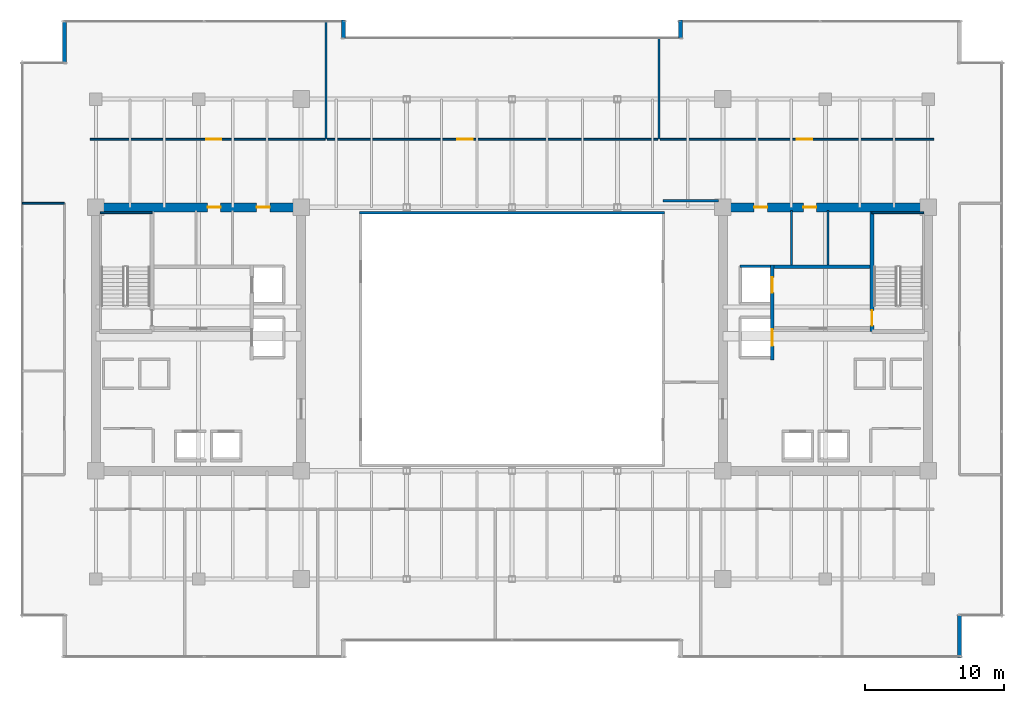
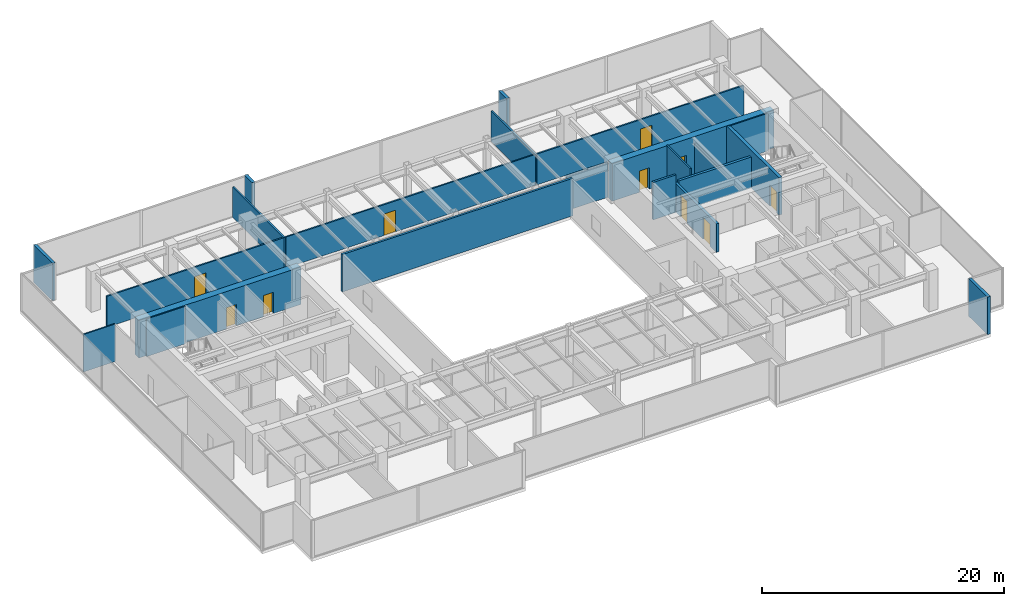
# One storey, part 27 of 30: 22 walls, 10 doors, 10 openings.
"""IFC4 building model written with IfcOpenShell, lengths in metres."""

from ifc_helpers import new_model, si_unit, direction, frame, frame_2d, origin, place, context, subcontext, project, spatial, rectangle, extrude, source, transform, mapped, material, layer, layer_set, type_object, type_shapes, element, fill, save


model = new_model("IFC4")

# Units and contexts
model_context = context("Model", 3, precision=1e-05, world=origin(), true_north=direction((0.0, 1.0)))
body_context = subcontext(model_context, "Body", "Model", "MODEL_VIEW")
ifc_project = project(units=[si_unit("LENGTHUNIT", "METRE"), si_unit("AREAUNIT", "SQUARE_METRE"), si_unit("VOLUMEUNIT", "CUBIC_METRE"), si_unit("PLANEANGLEUNIT", "RADIAN"), si_unit("MASSUNIT", "GRAM", prefix="KILO")], contexts=[model_context])

# Site, building, storey
site_placement = place(None, origin())
site = spatial("IfcSite", under=ifc_project, at=site_placement, CompositionType="ELEMENT")
building_placement = place(site_placement, origin())
building = spatial("IfcBuilding", under=site, at=building_placement, Name="Haelvirn Gate Laboratories", CompositionType="ELEMENT")
storey_placement = place(building_placement, frame((0.0, 0.0, 125.60009765625)))
storey = spatial("IfcBuildingStorey", under=building, at=storey_placement, Name="L30", CompositionType="ELEMENT", Elevation=125.60009765625)

# Walls
ifc_material_1 = material(Name="Thermally-broken bronze aluminium rainscreen & mineral wool", Category="aluminium")
ifc_layer_1 = layer(ifc_material_1, 0.280029296875, Name="EW-TERR-280")
ifc_layer_set_1 = layer_set([ifc_layer_1], Name="Thermally-broken bronze aluminium rainscreen & mineral wool")
wall_type_1 = type_object("IfcWallType", Name="EW-TERR-280", PredefinedType="STANDARD", material=ifc_layer_set_1)
wall_1_placement = place(storey_placement, frame((69.659912109375, 1.300048828125, 0.0), z_axis=(0.0, 0.0, 1.0), x_axis=(0.0, 1.0, 0.0)))
element("IfcWall", 1, at=wall_1_placement, inside=storey, type_object=wall_type_1, Name="L30 Atrium Recess Bronze Return Wall 05", PredefinedType="STANDARD", context=body_context, shape_type="SweptSolid", body=[
    extrude(rectangle(XDim=3.087890625, YDim=0.280029296875, at=frame_2d((1.5439453125, 0.0))), origin(), (0.0, 0.0, 1.0), 3.789794921875),
])
for number, where, z_axis, x_axis, name in (
    (2, (49.5400390625, 47.300048828125, 0.0), (0.0, 0.0, 1.0), (0.0, -1.0, 0.0), "L30 Atrium Recess Bronze Return Wall 11"),
    (3, (25.260009765625, 46.011962890625, 0.0), (0.0, 0.0, 1.0), (0.0, 1.0, 0.0), "L30 Atrium Recess Bronze Return Wall 13"),
):
    element("IfcWall", number, at=place(storey_placement, frame(where, z_axis=z_axis, x_axis=x_axis)), inside=storey, type_object=wall_type_1, Name=name, PredefinedType="STANDARD", context=body_context, shape_type="SweptSolid", body=[
        extrude(rectangle(XDim=1.2880859375, YDim=0.280029296875, at=frame_2d((0.64404296875, 0.0))), origin(), (0.0, 0.0, 1.0), 3.789794921875),
    ])
wall_2_placement = place(storey_placement, frame((5.139892578125, 47.300048828125, 0.0), z_axis=(0.0, 0.0, 1.0), x_axis=(0.0, -1.0, 0.0)))
element("IfcWall", 4, at=wall_2_placement, inside=storey, type_object=wall_type_1, Name="L30 Atrium Recess Bronze Return Wall 15", PredefinedType="STANDARD", context=body_context, shape_type="SweptSolid", body=[
    extrude(rectangle(XDim=3.088134765625, YDim=0.280029296875, at=frame_2d((1.5439453125, 0.0))), origin(), (0.0, 0.0, 1.0), 3.789794921875),
])
ifc_material_2 = material(Name="Double-layer acoustic gypsum laboratory partition", Category="gypsum")
ifc_layer_2 = layer(ifc_material_2, 0.159912109375, Name="IW-ACOUST-160")
ifc_layer_set_2 = layer_set([ifc_layer_2], Name="Double-layer acoustic gypsum laboratory partition")
wall_type_2 = type_object("IfcWallType", Name="IW-ACOUST-160", PredefinedType="PARTITIONING", material=ifc_layer_set_2)
wall_3_placement = place(storey_placement, frame((24.0, 38.705078125, 0.0), z_axis=(0.0, 0.0, 1.0), x_axis=(0.0, 1.0, 0.0)))
element("IfcWall", 5, at=wall_3_placement, inside=storey, type_object=wall_type_2, Name="L30 Interior Wall IW-L30-NDIV-01", PredefinedType="PARTITIONING", context=body_context, shape_type="SweptSolid", body=[
    extrude(rectangle(XDim=8.48486328125, YDim=0.159912109375, at=frame_2d((4.242431640625, 0.0))), origin(), (0.0, 0.0, 1.0), 3.074951171875),
])
wall_4_placement = place(storey_placement, frame((48.0, 38.705078125, 0.0), z_axis=(0.0, 0.0, 1.0), x_axis=(0.0, 1.0, 0.0)))
element("IfcWall", 6, at=wall_4_placement, inside=storey, type_object=wall_type_2, Name="L30 Interior Wall IW-L30-NDIV-02", PredefinedType="PARTITIONING", context=body_context, shape_type="SweptSolid", body=[
    extrude(rectangle(XDim=7.284912109375, YDim=0.159912109375, at=frame_2d((3.642578125, 0.0))), origin(), (0.0, 0.0, 1.0), 3.074951171875),
])
ifc_material_3 = material(Name="Fire-rated acoustic gypsum board partition", Category="gypsum")
ifc_layer_3 = layer(ifc_material_3, 0.175048828125, Name="IW-ACOUST-180")
ifc_layer_set_3 = layer_set([ifc_layer_3], Name="Fire-rated acoustic gypsum board partition")
wall_type_3 = type_object("IfcWallType", Name="IW-ACOUST-180", PredefinedType="PARTITIONING", material=ifc_layer_set_3)
wall_5_placement = place(storey_placement, frame((48.300048828125, 34.260009765625, 0.0), z_axis=(0.0, 0.0, 1.0), x_axis=(1.0, 0.0, 0.0)))
element("IfcWall", 7, at=wall_5_placement, inside=storey, type_object=wall_type_3, Name="L30 Interior Wall IW-L30-ASEM-N", PredefinedType="PARTITIONING", context=body_context, shape_type="SweptSolid", body=[
    extrude(rectangle(XDim=3.974853515625, YDim=0.175048828125, at=frame_2d((1.9873046875, 0.0))), origin(), (0.0, 0.0, 1.0), 3.474853515625),
])
ifc_material_4 = material(Name="Tempered fire-rated borosilicate glass & anodised aluminium", Category="aluminium")
ifc_layer_4 = layer(ifc_material_4, 0.195068359375, Name="IW-GLAZ-200")
ifc_layer_set_4 = layer_set([ifc_layer_4], Name="Tempered fire-rated borosilicate glass & anodised aluminium")
wall_type_4 = type_object("IfcWallType", Name="IW-GLAZ-200", PredefinedType="SOLIDWALL", material=ifc_layer_set_4)
wall_6_placement = place(storey_placement, frame((26.39990234375, 33.39990234375, 0.0), z_axis=(0.0, 0.0, 1.0), x_axis=(1.0, 0.0, 0.0)))
element("IfcWall", 8, at=wall_6_placement, inside=storey, type_object=wall_type_4, Name="L30 Interior Wall IW-L30-ATRIUM-N", PredefinedType="SOLIDWALL", context=body_context, shape_type="SweptSolid", body=[
    extrude(rectangle(XDim=22.0, YDim=0.195068359375, at=frame_2d((11.0, 0.0))), origin(), (0.0, 0.0, 1.0), 3.789794921875),
])
ifc_material_5 = material(Name="Lightweight acoustic gypsum board partition", Category="gypsum")
ifc_layer_5 = layer(ifc_material_5, 0.1201171875, Name="IW-PART-120")
ifc_layer_set_5 = layer_set([ifc_layer_5], Name="Lightweight acoustic gypsum board partition")
wall_type_5 = type_object("IfcWallType", Name="IW-PART-120", PredefinedType="PARTITIONING", material=ifc_layer_set_5)
wall_7_placement = place(storey_placement, frame((2.110107421875, 34.0849609375, 0.0), z_axis=(0.0, 0.0, 1.0), x_axis=(1.0, 0.0, 0.0)))
element("IfcWall", 9, at=wall_7_placement, inside=storey, type_object=wall_type_5, Name="L30 Interior Wall IW-L30-WCAP-N", PredefinedType="PARTITIONING", context=body_context, shape_type="SweptSolid", body=[
    extrude(rectangle(XDim=3.019775390625, YDim=0.1201171875, at=frame_2d((1.509765625, 0.0))), origin(), (0.0, 0.0, 1.0), 3.789794921875),
])

# Wall, opening, door
ifc_material_6 = material(Name="Acoustic mineral-wool gypsum board partition", Category="gypsum")
ifc_layer_6 = layer(ifc_material_6, 0.139892578125, Name="IW-PART-140")
ifc_layer_set_6 = layer_set([ifc_layer_6], Name="Acoustic mineral-wool gypsum board partition")
wall_type_6 = type_object("IfcWallType", Name="IW-PART-140", PredefinedType="PARTITIONING", material=ifc_layer_set_6)
wall_8_placement = place(storey_placement, frame((6.97998046875, 38.705078125, 0.0), z_axis=(0.0, 0.0, 1.0), x_axis=(1.0, 0.0, 0.0)))
wall_8 = element("IfcWall", 10, at=wall_8_placement, inside=storey, type_object=wall_type_6, Name="L30 Interior Wall IW-L30-NCORR-01", PredefinedType="PARTITIONING", context=body_context, shape_type="SweptSolid", body=[
    extrude(rectangle(XDim=16.93994140625, YDim=0.139892578125, at=frame_2d((8.469970703125, 0.0))), origin(), (0.0, 0.0, 1.0), 3.125),
])
opening_1_placement = place(wall_8_placement, frame((8.374267578125, 0.0, 0.0)))
opening_1 = element("IfcOpeningElement", 11, at=opening_1_placement, cuts=wall_8, Name="Opening D1", PredefinedType="OPENING", context=body_context, shape_type="SweptSolid", body=[
    extrude(rectangle(XDim=1.10009765625, YDim=2.179931640625, at=frame_2d((0.550048828125, 1.08984375))), frame((0.0, 0.080078125, 0.0), z_axis=(0.0, -1.0, 0.0), x_axis=(1.0, 0.0, 0.0)), (0.0, 0.0, 1.0), 0.159912109375),
])
ifc_material_7 = material(Name="Vision-panel acoustic solid-core timber lab door", Category="wood")
door_type_1 = type_object("IfcDoorType", Name="DR-LAB-1100", OperationType="NOTDEFINED", PredefinedType="DOOR", material=ifc_material_7)
shared_shape_1 = source(origin(), body_context, "Body", "SweptSolid", [
    extrude(rectangle(XDim=1.10009765625, YDim=2.179931640625, at=frame_2d((0.550048828125, 1.08984375))), frame((0.0, 0.02490234375, 0.0), z_axis=(0.0, -1.0, 0.0), x_axis=(1.0, 0.0, 0.0)), (0.0, 0.0, 1.0), 0.050048828125),
])
type_shapes(door_type_1, [shared_shape_1])
door_1_placement = place(opening_1_placement, origin())
door_1 = element("IfcDoor", 12, at=door_1_placement, inside=storey, type_object=door_type_1, Name="L30 Translational Data Office Door N1", OperationType="SINGLE_SWING_RIGHT", OverallHeight=2.179931640625, OverallWidth=1.10009765625, PredefinedType="DOOR", context=body_context, shape_type="MappedRepresentation", body=[
    mapped(shared_shape_1, transform((0.0, 0.0, 0.0), scale=1.0)),
])
fill(opening_1, door_1)

wall_9_placement = place(storey_placement, frame((24.080078125, 38.705078125, 0.0), z_axis=(0.0, 0.0, 1.0), x_axis=(1.0, 0.0, 0.0)))
wall_9 = element("IfcWall", 13, at=wall_9_placement, inside=storey, type_object=wall_type_6, Name="L30 Interior Wall IW-L30-NCORR-02", PredefinedType="PARTITIONING", context=body_context, shape_type="SweptSolid", body=[
    extrude(rectangle(XDim=23.83984375, YDim=0.139892578125, at=frame_2d((11.919921875, 0.0))), origin(), (0.0, 0.0, 1.0), 3.125),
])
opening_2_placement = place(wall_9_placement, frame((9.386474609375, 0.0, 0.0)))
opening_2 = element("IfcOpeningElement", 14, at=opening_2_placement, cuts=wall_9, Name="Opening D1", PredefinedType="OPENING", context=body_context, shape_type="SweptSolid", body=[
    extrude(rectangle(XDim=1.10009765625, YDim=2.179931640625, at=frame_2d((0.550048828125, 1.08984375))), frame((0.0, 0.080078125, 0.0), z_axis=(0.0, -1.0, 0.0), x_axis=(1.0, 0.0, 0.0)), (0.0, 0.0, 1.0), 0.159912109375),
])
door_2_placement = place(opening_2_placement, origin())
door_2 = element("IfcDoor", 15, at=door_2_placement, inside=storey, type_object=door_type_1, Name="L30 Computational Write-Up Office Door N2", OperationType="SINGLE_SWING_LEFT", OverallHeight=2.179931640625, OverallWidth=1.10009765625, PredefinedType="DOOR", context=body_context, shape_type="MappedRepresentation", body=[
    mapped(shared_shape_1, transform((0.0, 0.0, 0.0), scale=1.0)),
])
fill(opening_2, door_2)

wall_10_placement = place(storey_placement, frame((48.080078125, 38.705078125, 0.0), z_axis=(0.0, 0.0, 1.0), x_axis=(1.0, 0.0, 0.0)))
wall_10 = element("IfcWall", 16, at=wall_10_placement, inside=storey, type_object=wall_type_6, Name="L30 Interior Wall IW-L30-NCORR-03", PredefinedType="PARTITIONING", context=body_context, shape_type="SweptSolid", body=[
    extrude(rectangle(XDim=19.739990234375, YDim=0.139892578125, at=frame_2d((9.8701171875, 0.0))), origin(), (0.0, 0.0, 1.0), 3.125),
])
opening_3_placement = place(wall_10_placement, frame((9.858154296875, 0.0, 0.0)))
opening_3 = element("IfcOpeningElement", 17, at=opening_3_placement, cuts=wall_10, Name="Opening D1", PredefinedType="OPENING", context=body_context, shape_type="SweptSolid", body=[
    extrude(rectangle(XDim=1.10009765625, YDim=2.179931640625, at=frame_2d((0.550048828125, 1.08984375))), frame((0.0, 0.080078125, 0.0), z_axis=(0.0, -1.0, 0.0), x_axis=(1.0, 0.0, 0.0)), (0.0, 0.0, 1.0), 0.159912109375),
])
door_3_placement = place(opening_3_placement, origin())
door_3 = element("IfcDoor", 18, at=door_3_placement, inside=storey, type_object=door_type_1, Name="L30 Researcher Break Pantry Door N3", OperationType="SINGLE_SWING_RIGHT", OverallHeight=2.179931640625, OverallWidth=1.10009765625, PredefinedType="DOOR", context=body_context, shape_type="MappedRepresentation", body=[
    mapped(shared_shape_1, transform((0.0, 0.0, 0.0), scale=1.0)),
])
fill(opening_3, door_3)

# Walls
ifc_material_8 = material(Name="Cement-board restroom plumbing chase wall", Category="gypsum")
ifc_layer_7 = layer(ifc_material_8, 0.155029296875, Name="IW-PLUMB-160")
ifc_layer_set_7 = layer_set([ifc_layer_7], Name="Cement-board restroom plumbing chase wall")
wall_type_7 = type_object("IfcWallType", Name="IW-PLUMB-160", PredefinedType="PLUMBINGWALL", material=ifc_layer_set_7)
wall_11_placement = place(storey_placement, frame((60.18994140625, 29.64990234375, 0.0), z_axis=(0.0, 0.0, 1.0), x_axis=(0.0, 1.0, 0.0)))
element("IfcWall", 19, at=wall_11_placement, inside=storey, type_object=wall_type_7, Name="L30 Interior Wall IW-L30-E-CDIV-0", PredefinedType="PLUMBINGWALL", context=body_context, shape_type="SweptSolid", body=[
    extrude(rectangle(XDim=3.93017578125, YDim=0.155029296875, at=frame_2d((1.965087890625, 0.0))), origin(), (0.0, 0.0, 1.0), 3.125),
])
wall_12_placement = place(storey_placement, frame((57.56005859375, 29.64990234375, 0.0), z_axis=(0.0, 0.0, 1.0), x_axis=(0.0, 1.0, 0.0)))
element("IfcWall", 20, at=wall_12_placement, inside=storey, type_object=wall_type_7, Name="L30 Interior Wall IW-L30-E-CDIV-1", PredefinedType="PLUMBINGWALL", context=body_context, shape_type="SweptSolid", body=[
    extrude(rectangle(XDim=3.93017578125, YDim=0.155029296875, at=frame_2d((1.965087890625, 0.0))), origin(), (0.0, 0.0, 1.0), 3.789794921875),
])
ifc_material_9 = material(Name="Concrete C40/50", Category="concrete")
ifc_layer_8 = layer(ifc_material_9, 0.199951171875, Name="IW-SHAFT-200")
ifc_layer_set_8 = layer_set([ifc_layer_8], Name="Concrete C40/50")
wall_type_8 = type_object("IfcWallType", Name="IW-SHAFT-200", PredefinedType="SOLIDWALL", material=ifc_layer_set_8)
wall_13_placement = place(storey_placement, frame((53.85009765625, 29.550048828125, 0.0), z_axis=(0.0, 0.0, 1.0), x_axis=(1.0, 0.0, 0.0)))
element("IfcWall", 21, at=wall_13_placement, inside=storey, type_object=wall_type_8, Name="L30 Interior Wall IW-L30-FL2-N", PredefinedType="SOLIDWALL", context=body_context, shape_type="SweptSolid", body=[
    extrude(rectangle(XDim=2.18994140625, YDim=0.199951171875, at=frame_2d((1.094970703125, 0.0))), origin(), (0.0, 0.0, 1.0), 3.789794921875),
])
ifc_layer_9 = layer(ifc_material_9, 0.239990234375, Name="IW-SHAFT-240")
ifc_layer_set_9 = layer_set([ifc_layer_9], Name="Concrete C40/50")
wall_type_9 = type_object("IfcWallType", Name="IW-SHAFT-240", PredefinedType="SOLIDWALL", material=ifc_layer_set_9)
wall_14_placement = place(storey_placement, frame((56.280029296875, 29.52001953125, 0.0), z_axis=(0.0, 0.0, 1.0), x_axis=(1.0, 0.0, 0.0)))
element("IfcWall", 22, at=wall_14_placement, inside=storey, type_object=wall_type_9, Name="L30 Interior Wall IW-L30-E-FF-N", PredefinedType="SOLIDWALL", context=body_context, shape_type="SweptSolid", body=[
    extrude(rectangle(XDim=6.919921875, YDim=0.239990234375, at=frame_2d((3.4599609375, 0.0))), origin(), (0.0, 0.0, 1.0), 3.125),
])

# Wall, openings, doors
wall_15_placement = place(storey_placement, frame((56.159912109375, 22.800048828125, 0.0), z_axis=(0.0, 0.0, 1.0), x_axis=(0.0, 1.0, 0.0)))
wall_15 = element("IfcWall", 23, at=wall_15_placement, inside=storey, type_object=wall_type_9, Name="L30 Interior Wall IW-L30-E-FF-E", PredefinedType="SOLIDWALL", context=body_context, shape_type="SweptSolid", body=[
    extrude(rectangle(XDim=6.849853515625, YDim=0.239990234375, at=frame_2d((3.4248046875, 0.0))), origin(), (0.0, 0.0, 1.0), 2.875),
])
opening_4_placement = place(wall_15_placement, frame((4.85009765625, 0.0, 0.0)))
opening_4 = element("IfcOpeningElement", 24, at=opening_4_placement, cuts=wall_15, Name="Opening LD2", PredefinedType="OPENING", context=body_context, shape_type="SweptSolid", body=[
    extrude(rectangle(XDim=1.10009765625, YDim=2.219970703125, at=frame_2d((0.550048828125, 1.10986328125))), frame((0.0, 0.1298828125, 0.0), z_axis=(0.0, -1.0, 0.0), x_axis=(1.0, 0.0, 0.0)), (0.0, 0.0, 1.0), 0.260009765625),
])
opening_5_placement = place(wall_15_placement, frame((1.0, 0.0, 0.0)))
opening_5 = element("IfcOpeningElement", 25, at=opening_5_placement, cuts=wall_15, Name="Opening LD1", PredefinedType="OPENING", context=body_context, shape_type="SweptSolid", body=[
    extrude(rectangle(XDim=1.199951171875, YDim=2.219970703125, at=frame_2d((0.60009765625, 1.10986328125))), frame((0.0, 0.1298828125, 0.0), z_axis=(0.0, -1.0, 0.0), x_axis=(1.0, 0.0, 0.0)), (0.0, 0.0, 1.0), 0.260009765625),
])
ifc_material_10 = material(Name="Bronze stainless 316L sliding lift landing door")
door_type_2 = type_object("IfcDoorType", Name="DR-LD-1100", OperationType="NOTDEFINED", PredefinedType="USERDEFINED", material=ifc_material_10)
shared_shape_2 = source(origin(), body_context, "Body", "SweptSolid", [
    extrude(rectangle(XDim=1.10009765625, YDim=2.219970703125, at=frame_2d((0.550048828125, 1.10986328125))), frame((0.0, 0.02490234375, 0.0), z_axis=(0.0, -1.0, 0.0), x_axis=(1.0, 0.0, 0.0)), (0.0, 0.0, 1.0), 0.050048828125),
])
type_shapes(door_type_2, [shared_shape_2])
door_4_placement = place(opening_4_placement, origin())
door_4 = element("IfcDoor", 26, at=door_4_placement, inside=storey, type_object=door_type_2, Name="L30 Firefighting Lift FL2 Landing Door", ObjectType="LANDING_DOOR", OperationType="SLIDING_TO_RIGHT", OverallHeight=2.219970703125, OverallWidth=1.10009765625, PredefinedType="USERDEFINED", context=body_context, shape_type="MappedRepresentation", body=[
    mapped(shared_shape_2, transform((0.0, 0.0, 0.0), scale=1.0)),
])
fill(opening_4, door_4)
ifc_material_11 = material(Name="Stainless steel 316L sliding goods landing door", Category="steel")
door_type_3 = type_object("IfcDoorType", Name="DR-LD-1200", OperationType="NOTDEFINED", PredefinedType="USERDEFINED", material=ifc_material_11)
shared_shape_3 = source(origin(), body_context, "Body", "SweptSolid", [
    extrude(rectangle(XDim=1.199951171875, YDim=2.219970703125, at=frame_2d((0.60009765625, 1.10986328125))), frame((0.0, 0.02490234375, 0.0), z_axis=(0.0, -1.0, 0.0), x_axis=(1.0, 0.0, 0.0)), (0.0, 0.0, 1.0), 0.050048828125),
])
type_shapes(door_type_3, [shared_shape_3])
door_5_placement = place(opening_5_placement, origin())
door_5 = element("IfcDoor", 27, at=door_5_placement, inside=storey, type_object=door_type_3, Name="L30 Service Lift SL2 Landing Door", ObjectType="LANDING_DOOR", OperationType="SLIDING_TO_LEFT", OverallHeight=2.219970703125, OverallWidth=1.199951171875, PredefinedType="USERDEFINED", context=body_context, shape_type="MappedRepresentation", body=[
    mapped(shared_shape_3, transform((0.0, 0.0, 0.0), scale=1.0)),
])
fill(opening_5, door_5)

ifc_material_12 = material(Name="Concrete C60/75", Category="concrete")
ifc_layer_10 = layer(ifc_material_12, 0.64990234375, Name="SW-CORE-650")
ifc_layer_set_10 = layer_set([ifc_layer_10], Name="Concrete C60/75")
wall_type_10 = type_object("IfcWallType", Name="SW-CORE-650", PredefinedType="SHEAR", material=ifc_layer_set_10)
wall_16_placement = place(storey_placement, frame((7.074951171875, 33.800048828125, 0.0), z_axis=(0.0, 0.0, 1.0), x_axis=(1.0, 0.0, 0.0)))
wall_16 = element("IfcWall", 28, at=wall_16_placement, inside=storey, type_object=wall_type_10, Name="L30 W Core Shear Wall N", PredefinedType="SHEAR", context=body_context, shape_type="SweptSolid", body=[
    extrude(rectangle(XDim=15.449951171875, YDim=0.64990234375, at=frame_2d((7.72509765625, 0.0))), origin(), (0.0, 0.0, 1.0), 3.789794921875),
])
opening_6_placement = place(wall_16_placement, frame((8.375, 0.0, 0.0)))
opening_6 = element("IfcOpeningElement", 29, at=opening_6_placement, cuts=wall_16, Name="Opening FD4", PredefinedType="OPENING", context=body_context, shape_type="SweptSolid", body=[
    extrude(rectangle(XDim=0.949951171875, YDim=2.14990234375, at=frame_2d((0.47509765625, 1.074951171875))), frame((0.0, 0.3349609375, 0.0), z_axis=(0.0, -1.0, 0.0), x_axis=(1.0, 0.0, 0.0)), (0.0, 0.0, 1.0), 0.669921875),
])
opening_7_placement = place(wall_16_placement, frame((11.9150390625, 0.0, 0.0)))
opening_7 = element("IfcOpeningElement", 30, at=opening_7_placement, cuts=wall_16, Name="Opening FD4", PredefinedType="OPENING", context=body_context, shape_type="SweptSolid", body=[
    extrude(rectangle(XDim=0.949951171875, YDim=2.14990234375, at=frame_2d((0.47509765625, 1.074951171875))), frame((0.0, 0.3349609375, 0.0), z_axis=(0.0, -1.0, 0.0), x_axis=(1.0, 0.0, 0.0)), (0.0, 0.0, 1.0), 0.669921875),
])
ifc_material_13 = material(Name="Fire-rated steel SM355 core service door", Category="steel")
door_type_4 = type_object("IfcDoorType", Name="DR-FD-950", OperationType="NOTDEFINED", PredefinedType="DOOR", material=ifc_material_13)
shared_shape_4 = source(origin(), body_context, "Body", "SweptSolid", [
    extrude(rectangle(XDim=0.949951171875, YDim=2.14990234375, at=frame_2d((0.47509765625, 1.074951171875))), frame((0.0, 0.02490234375, 0.0), z_axis=(0.0, -1.0, 0.0), x_axis=(1.0, 0.0, 0.0)), (0.0, 0.0, 1.0), 0.050048828125),
])
type_shapes(door_type_4, [shared_shape_4])
door_6_placement = place(opening_6_placement, origin())
door_6 = element("IfcDoor", 31, at=door_6_placement, inside=storey, type_object=door_type_4, Name="L30 Accessible Restroom Fire Door", OperationType="SINGLE_SWING_LEFT", OverallHeight=2.14990234375, OverallWidth=0.949951171875, PredefinedType="DOOR", context=body_context, shape_type="MappedRepresentation", body=[
    mapped(shared_shape_4, transform((0.0, 0.0, 0.0), scale=1.0)),
])
fill(opening_6, door_6)
door_7_placement = place(opening_7_placement, origin())
door_7 = element("IfcDoor", 32, at=door_7_placement, inside=storey, type_object=door_type_4, Name="L30 Staff Restroom Fire Door", OperationType="SINGLE_SWING_RIGHT", OverallHeight=2.14990234375, OverallWidth=0.949951171875, PredefinedType="DOOR", context=body_context, shape_type="MappedRepresentation", body=[
    mapped(shared_shape_4, transform((0.0, 0.0, 0.0), scale=1.0)),
])
fill(opening_7, door_7)

wall_17_placement = place(storey_placement, frame((52.27490234375, 33.800048828125, 0.0), z_axis=(0.0, 0.0, 1.0), x_axis=(1.0, 0.0, 0.0)))
wall_17 = element("IfcWall", 33, at=wall_17_placement, inside=storey, type_object=wall_type_10, Name="L30 E Core Shear Wall N", PredefinedType="SHEAR", context=body_context, shape_type="SweptSolid", body=[
    extrude(rectangle(XDim=15.4501953125, YDim=0.64990234375, at=frame_2d((7.72509765625, 0.0))), origin(), (0.0, 0.0, 1.0), 3.789794921875),
])
opening_8_placement = place(wall_17_placement, frame((6.125, 0.0, 0.0)))
opening_8 = element("IfcOpeningElement", 34, at=opening_8_placement, cuts=wall_17, Name="Opening FD4", PredefinedType="OPENING", context=body_context, shape_type="SweptSolid", body=[
    extrude(rectangle(XDim=0.949951171875, YDim=2.14990234375, at=frame_2d((0.47509765625, 1.074951171875))), frame((0.0, 0.3349609375, 0.0), z_axis=(0.0, -1.0, 0.0), x_axis=(1.0, 0.0, 0.0)), (0.0, 0.0, 1.0), 0.669921875),
])
opening_9_placement = place(wall_17_placement, frame((2.5849609375, 0.0, 0.0)))
opening_9 = element("IfcOpeningElement", 35, at=opening_9_placement, cuts=wall_17, Name="Opening FD4", PredefinedType="OPENING", context=body_context, shape_type="SweptSolid", body=[
    extrude(rectangle(XDim=0.949951171875, YDim=2.14990234375, at=frame_2d((0.47509765625, 1.074951171875))), frame((0.0, 0.3349609375, 0.0), z_axis=(0.0, -1.0, 0.0), x_axis=(1.0, 0.0, 0.0)), (0.0, 0.0, 1.0), 0.669921875),
])
door_8_placement = place(opening_8_placement, origin())
door_8 = element("IfcDoor", 36, at=door_8_placement, inside=storey, type_object=door_type_4, Name="L30 Accessible Restroom Fire Door", OperationType="SINGLE_SWING_LEFT", OverallHeight=2.14990234375, OverallWidth=0.949951171875, PredefinedType="DOOR", context=body_context, shape_type="MappedRepresentation", body=[
    mapped(shared_shape_4, transform((0.0, 0.0, 0.0), scale=1.0)),
])
fill(opening_8, door_8)
door_9_placement = place(opening_9_placement, origin())
door_9 = element("IfcDoor", 37, at=door_9_placement, inside=storey, type_object=door_type_4, Name="L30 Staff Restroom Fire Door", OperationType="SINGLE_SWING_RIGHT", OverallHeight=2.14990234375, OverallWidth=0.949951171875, PredefinedType="DOOR", context=body_context, shape_type="MappedRepresentation", body=[
    mapped(shared_shape_4, transform((0.0, 0.0, 0.0), scale=1.0)),
])
fill(opening_9, door_9)

# Walls
ifc_material_14 = material(Name="Concrete C50/60", Category="concrete")
ifc_layer_11 = layer(ifc_material_14, 0.1201171875, Name="SW-LINER-120")
ifc_layer_set_11 = layer_set([ifc_layer_11], Name="Concrete C50/60")
wall_type_11 = type_object("IfcWallType", Name="SW-LINER-120", PredefinedType="SOLIDWALL", material=ifc_layer_set_11)
for number, where, z_axis, x_axis, name in (
    (38, (7.72998046875, 33.39990234375, 0.0), (0.0, 0.0, 1.0), (1.0, 0.0, 0.0), "L30 W Core Stair Shaft Liner Wall N"),
    (39, (63.35009765625, 33.39990234375, 0.0), (0.0, 0.0, 1.0), (1.0, 0.0, 0.0), "L30 E Core Stair Shaft Liner Wall N"),
):
    element("IfcWall", number, at=place(storey_placement, frame(where, z_axis=z_axis, x_axis=x_axis)), inside=storey, type_object=wall_type_11, Name=name, PredefinedType="SOLIDWALL", context=body_context, shape_type="SweptSolid", body=[
        extrude(rectangle(XDim=3.719970703125, YDim=0.1201171875, at=frame_2d((1.85986328125, 0.0))), origin(), (0.0, 0.0, 1.0), 3.789794921875),
    ])

# Wall, opening, door
ifc_layer_12 = layer(ifc_material_14, 0.300048828125, Name="SW-STAIR-300")
ifc_layer_set_12 = layer_set([ifc_layer_12], Name="Concrete C50/60")
wall_type_12 = type_object("IfcWallType", Name="SW-STAIR-300", PredefinedType="SHEAR", material=ifc_layer_set_12)
wall_18_placement = place(storey_placement, frame((63.35009765625, 24.85009765625, 0.0), z_axis=(0.0, 0.0, 1.0), x_axis=(0.0, 1.0, 0.0)))
wall_18 = element("IfcWall", 40, at=wall_18_placement, inside=storey, type_object=wall_type_12, Name="L30 E Core Stair Shaft Structural Wall IN", PredefinedType="SHEAR", context=body_context, shape_type="SweptSolid", body=[
    extrude(rectangle(XDim=8.6298828125, YDim=0.300048828125, at=frame_2d((4.31494140625, 0.0))), origin(), (0.0, 0.0, 1.0), 3.789794921875),
])
opening_10_placement = place(wall_18_placement, frame((0.419921875, 0.0, 0.0)))
opening_10 = element("IfcOpeningElement", 41, at=opening_10_placement, cuts=wall_18, Name="Opening FD3", PredefinedType="OPENING", context=body_context, shape_type="SweptSolid", body=[
    extrude(rectangle(XDim=1.10009765625, YDim=2.14990234375, at=frame_2d((0.550048828125, 1.074951171875))), frame((0.0, 0.16015625, 0.0), z_axis=(0.0, -1.0, 0.0), x_axis=(1.0, 0.0, 0.0)), (0.0, 0.0, 1.0), 0.320068359375),
])
ifc_material_15 = material(Name="Fire-rated steel SM355 escape stair door", Category="steel")
door_type_5 = type_object("IfcDoorType", Name="DR-FD-1100", OperationType="NOTDEFINED", PredefinedType="DOOR", material=ifc_material_15)
shared_shape_5 = source(origin(), body_context, "Body", "SweptSolid", [
    extrude(rectangle(XDim=1.10009765625, YDim=2.14990234375, at=frame_2d((0.550048828125, 1.074951171875))), frame((0.0, 0.02490234375, 0.0), z_axis=(0.0, -1.0, 0.0), x_axis=(1.0, 0.0, 0.0)), (0.0, 0.0, 1.0), 0.050048828125),
])
type_shapes(door_type_5, [shared_shape_5])
door_10_placement = place(opening_10_placement, origin())
door_10 = element("IfcDoor", 42, at=door_10_placement, inside=storey, type_object=door_type_5, Name="L30 Escape Stair ST2 Fire Door", OperationType="SINGLE_SWING_RIGHT", OverallHeight=2.14990234375, OverallWidth=1.10009765625, PredefinedType="DOOR", context=body_context, shape_type="MappedRepresentation", body=[
    mapped(shared_shape_5, transform((0.0, 0.0, 0.0), scale=1.0)),
])
fill(opening_10, door_10)

save(model, "model.ifc")
